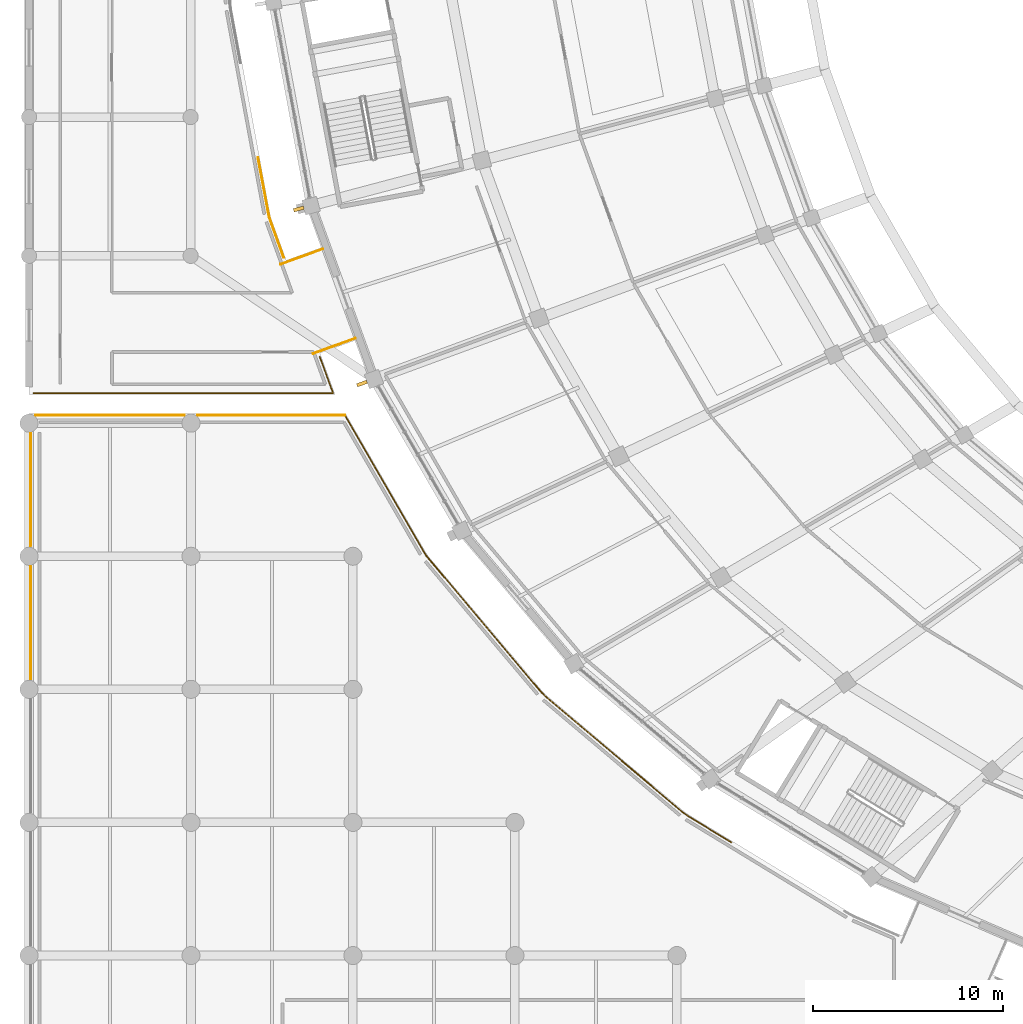
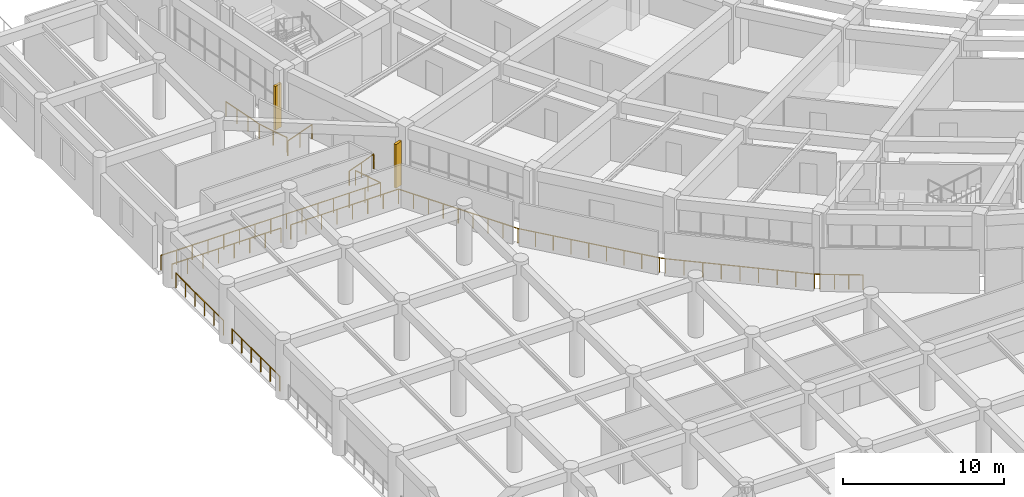
# One storey, part 119 of 145: 9 railings, 2 shading devices.
"""IFC4 building model written with IfcOpenShell, lengths in metres."""

from ifc_helpers import new_model, si_unit, direction, frame, origin, origin_2d, place, context, subcontext, project, spatial, rectangle, circle, extrude, material, type_object, element, save


model = new_model("IFC4")

# Units and contexts
model_context = context("Model", 3, precision=1e-05, world=origin(), true_north=direction((0.0, 1.0)))
body_context = subcontext(model_context, "Body", "Model", "MODEL_VIEW")
ifc_project = project(units=[si_unit("LENGTHUNIT", "METRE"), si_unit("AREAUNIT", "SQUARE_METRE"), si_unit("VOLUMEUNIT", "CUBIC_METRE"), si_unit("PLANEANGLEUNIT", "RADIAN"), si_unit("MASSUNIT", "GRAM", prefix="KILO")], contexts=[model_context])

# Site, building, storey
site_placement = place(None, origin())
site = spatial("IfcSite", under=ifc_project, at=site_placement, CompositionType="ELEMENT")
building_placement = place(site_placement, origin())
building = spatial("IfcBuilding", under=site, at=building_placement, Name="Mphavela Belvedere Stadium", CompositionType="ELEMENT")
storey_placement = place(building_placement, frame((0.0, 0.0, 10.199951171875)))
storey = spatial("IfcBuildingStorey", under=building, at=storey_placement, Name="L02", CompositionType="ELEMENT", Elevation=10.199951171875)

# Railings
ifc_material_1 = material(Name="Bronze and laminated glass stadium balustrade", Category="glass")
railing_type = type_object("IfcRailingType", Name="RAL-BALUSTRADE-1120", PredefinedType="BALUSTRADE", material=ifc_material_1)
railing_1_placement = place(storey_placement, frame((15.44921875, 58.159423828125, 0.0)))
element("IfcRailing", 1, at=railing_1_placement, inside=storey, type_object=railing_type, Name="Colonnade link bridge balustrade L02-27A", PredefinedType="BALUSTRADE", context=body_context, shape_type="SweptSolid", body=[
    extrude(circle(Radius=0.02392578125, at=origin_2d()), frame((0.0, 0.0, 1.09619140625), z_axis=(-0.940078218368, -0.340958858734, 0.0), x_axis=(0.340958858734, -0.940078218368, 0.0)), (0.0, 0.0, 1.0), 2.35009765625),
    extrude(circle(Radius=0.02099609375, at=origin_2d()), origin(), (0.0, 0.0, 1.0), 1.072021484375),
    extrude(circle(Radius=0.02099609375, at=origin_2d()), frame((-1.1044921875, -0.400634765625, 0.0)), (0.0, 0.0, 1.0), 1.072021484375),
    extrude(circle(Radius=0.02099609375, at=origin_2d()), frame((-2.209228515625, -0.80126953125, 0.0)), (0.0, 0.0, 1.0), 1.072021484375),
])
railing_2_placement = place(storey_placement, frame((17.154296875, 53.459228515625, 0.0)))
element("IfcRailing", 2, at=railing_2_placement, inside=storey, type_object=railing_type, Name="Colonnade link bridge balustrade L02-27B", PredefinedType="BALUSTRADE", context=body_context, shape_type="SweptSolid", body=[
    extrude(circle(Radius=0.02392578125, at=origin_2d()), frame((0.0, 0.0, 1.09619140625), z_axis=(-0.940044916205, -0.341050664151, 0.0), x_axis=(0.341050664151, -0.940044916205, 0.0)), (0.0, 0.0, 1.0), 2.35009765625),
    extrude(circle(Radius=0.02099609375, at=origin_2d()), origin(), (0.0, 0.0, 1.0), 1.072021484375),
    extrude(circle(Radius=0.02099609375, at=origin_2d()), frame((-1.1044921875, -0.40087890625, 0.0)), (0.0, 0.0, 1.0), 1.072021484375),
    extrude(circle(Radius=0.02099609375, at=origin_2d()), frame((-2.209228515625, -0.801513671875, 0.0)), (0.0, 0.0, 1.0), 1.072021484375),
])
railing_3_placement = place(storey_placement, frame((16.607421875, 49.419921875, 0.0)))
element("IfcRailing", 3, at=railing_3_placement, inside=storey, type_object=railing_type, Name="Peristyle wing gallery edge balustrade L02-01", PredefinedType="BALUSTRADE", context=body_context, shape_type="SweptSolid", body=[
    extrude(circle(Radius=0.02392578125, at=origin_2d()), frame((0.0, 0.0, 1.09619140625), z_axis=(0.501496666229, -0.86515957705, 0.0), x_axis=(0.86515957705, 0.501496666229, 0.0)), (0.0, 0.0, 1.0), 8.548095703125),
    extrude(circle(Radius=0.02392578125, at=origin_2d()), frame((4.286865234375, -7.3955078125, 1.09619140625), z_axis=(0.644472492073, -0.764627495557, 0.0), x_axis=(0.764627495557, 0.644472492073, 0.0)), (0.0, 0.0, 1.0), 9.352783203125),
    extrude(circle(Radius=0.02392578125, at=origin_2d()), frame((10.314453125, -14.546875, 1.09619140625), z_axis=(0.707747566275, -0.706465414887, 0.0), x_axis=(0.706465414887, 0.707747566275, 0.0)), (0.0, 0.0, 1.0), 0.380859375),
    extrude(circle(Radius=0.02392578125, at=origin_2d()), frame((10.583984375, -14.81591796875, 1.09619140625), z_axis=(0.764260284561, -0.644907913924, 0.0), x_axis=(0.644907913924, 0.764260284561, 0.0)), (0.0, 0.0, 1.0), 9.4013671875),
    extrude(circle(Radius=0.02392578125, at=origin_2d()), frame((17.76904296875, -20.87890625, 1.09619140625), z_axis=(0.81202574752, -0.583621611462, 0.0), x_axis=(0.583621611462, 0.81202574752, 0.0)), (0.0, 0.0, 1.0), 0.348388671875),
    extrude(circle(Radius=0.02392578125, at=origin_2d()), frame((18.052001953125, -21.082275390625, 1.09619140625), z_axis=(0.854337692863, -0.519718295381, 0.0), x_axis=(0.519718295381, 0.854337692863, 0.0)), (0.0, 0.0, 1.0), 2.67626953125),
    extrude(circle(Radius=0.02099609375, at=origin_2d()), origin(), (0.0, 0.0, 1.0), 1.072021484375),
    extrude(circle(Radius=0.02099609375, at=origin_2d()), frame((0.535888671875, -0.92431640625, 0.0)), (0.0, 0.0, 1.0), 1.072021484375),
    extrude(circle(Radius=0.02099609375, at=origin_2d()), frame((1.07177734375, -1.848876953125, 0.0)), (0.0, 0.0, 1.0), 1.072021484375),
    extrude(circle(Radius=0.02099609375, at=origin_2d()), frame((1.607666015625, -2.7734375, 0.0)), (0.0, 0.0, 1.0), 1.072021484375),
    extrude(circle(Radius=0.02099609375, at=origin_2d()), frame((2.1435546875, -3.69775390625, 0.0)), (0.0, 0.0, 1.0), 1.072021484375),
    extrude(circle(Radius=0.02099609375, at=origin_2d()), frame((2.67919921875, -4.6220703125, 0.0)), (0.0, 0.0, 1.0), 1.072021484375),
    extrude(circle(Radius=0.02099609375, at=origin_2d()), frame((3.215087890625, -5.546630859375, 0.0)), (0.0, 0.0, 1.0), 1.072021484375),
    extrude(circle(Radius=0.02099609375, at=origin_2d()), frame((3.7509765625, -6.47119140625, 0.0)), (0.0, 0.0, 1.0), 1.072021484375),
    extrude(circle(Radius=0.02099609375, at=origin_2d()), frame((4.286865234375, -7.3955078125, 0.0)), (0.0, 0.0, 1.0), 1.072021484375),
    extrude(circle(Radius=0.02099609375, at=origin_2d()), frame((5.040283203125, -8.28955078125, 0.0)), (0.0, 0.0, 1.0), 1.072021484375),
    extrude(circle(Radius=0.02099609375, at=origin_2d()), frame((5.793701171875, -9.183349609375, 0.0)), (0.0, 0.0, 1.0), 1.072021484375),
    extrude(circle(Radius=0.02099609375, at=origin_2d()), frame((6.547119140625, -10.0771484375, 0.0)), (0.0, 0.0, 1.0), 1.072021484375),
    extrude(circle(Radius=0.02099609375, at=origin_2d()), frame((7.30078125, -10.97119140625, 0.0)), (0.0, 0.0, 1.0), 1.072021484375),
    extrude(circle(Radius=0.02099609375, at=origin_2d()), frame((8.05419921875, -11.865234375, 0.0)), (0.0, 0.0, 1.0), 1.072021484375),
    extrude(circle(Radius=0.02099609375, at=origin_2d()), frame((8.8076171875, -12.759033203125, 0.0)), (0.0, 0.0, 1.0), 1.072021484375),
    extrude(circle(Radius=0.02099609375, at=origin_2d()), frame((9.56103515625, -13.65283203125, 0.0)), (0.0, 0.0, 1.0), 1.072021484375),
    extrude(circle(Radius=0.02099609375, at=origin_2d()), frame((10.314453125, -14.546875, 0.0)), (0.0, 0.0, 1.0), 1.072021484375),
    extrude(circle(Radius=0.02099609375, at=origin_2d()), frame((10.583984375, -14.81591796875, 0.0)), (0.0, 0.0, 1.0), 1.072021484375),
    extrude(circle(Radius=0.02099609375, at=origin_2d()), frame((11.482177734375, -15.57373046875, 0.0)), (0.0, 0.0, 1.0), 1.072021484375),
    extrude(circle(Radius=0.02099609375, at=origin_2d()), frame((12.38037109375, -16.33154296875, 0.0)), (0.0, 0.0, 1.0), 1.072021484375),
    extrude(circle(Radius=0.02099609375, at=origin_2d()), frame((13.2783203125, -17.089599609375, 0.0)), (0.0, 0.0, 1.0), 1.072021484375),
    extrude(circle(Radius=0.02099609375, at=origin_2d()), frame((14.176513671875, -17.847412109375, 0.0)), (0.0, 0.0, 1.0), 1.072021484375),
    extrude(circle(Radius=0.02099609375, at=origin_2d()), frame((15.07470703125, -18.605224609375, 0.0)), (0.0, 0.0, 1.0), 1.072021484375),
    extrude(circle(Radius=0.02099609375, at=origin_2d()), frame((15.97265625, -19.36328125, 0.0)), (0.0, 0.0, 1.0), 1.072021484375),
    extrude(circle(Radius=0.02099609375, at=origin_2d()), frame((16.870849609375, -20.12109375, 0.0)), (0.0, 0.0, 1.0), 1.072021484375),
    extrude(circle(Radius=0.02099609375, at=origin_2d()), frame((17.76904296875, -20.87890625, 0.0)), (0.0, 0.0, 1.0), 1.072021484375),
    extrude(circle(Radius=0.02099609375, at=origin_2d()), frame((18.052001953125, -21.082275390625, 0.0)), (0.0, 0.0, 1.0), 1.072021484375),
    extrude(circle(Radius=0.02099609375, at=origin_2d()), frame((18.814208984375, -21.5458984375, 0.0)), (0.0, 0.0, 1.0), 1.072021484375),
    extrude(circle(Radius=0.02099609375, at=origin_2d()), frame((19.576171875, -22.009521484375, 0.0)), (0.0, 0.0, 1.0), 1.072021484375),
    extrude(circle(Radius=0.02099609375, at=origin_2d()), frame((20.33837890625, -22.47314453125, 0.0)), (0.0, 0.0, 1.0), 1.072021484375),
])
for number, where, name in (
    (4, (0.080078125, 35.54345703125, 0.0), "Peristyle wing gallery edge balustrade L02-21"),
    (5, (0.080078125, 42.54345703125, 0.0), "Peristyle wing gallery edge balustrade L02-22"),
):
    element("IfcRailing", number, at=place(storey_placement, frame(where)), inside=storey, type_object=railing_type, Name=name, PredefinedType="BALUSTRADE", context=body_context, shape_type="SweptSolid", body=[
        extrude(circle(Radius=0.02392578125, at=origin_2d()), frame((0.0, 0.0, 1.09619140625), z_axis=(0.0, 1.0, 0.0), x_axis=(-1.0, 0.0, 0.0)), (0.0, 0.0, 1.0), 5.9130859375),
        extrude(circle(Radius=0.02099609375, at=origin_2d()), origin(), (0.0, 0.0, 1.0), 1.072021484375),
        extrude(circle(Radius=0.02099609375, at=origin_2d()), frame((0.0, 1.1826171875, 0.0)), (0.0, 0.0, 1.0), 1.072021484375),
        extrude(circle(Radius=0.02099609375, at=origin_2d()), frame((0.0, 2.365234375, 0.0)), (0.0, 0.0, 1.0), 1.072021484375),
        extrude(circle(Radius=0.02099609375, at=origin_2d()), frame((0.0, 3.5478515625, 0.0)), (0.0, 0.0, 1.0), 1.072021484375),
        extrude(circle(Radius=0.02099609375, at=origin_2d()), frame((0.0, 4.73046875, 0.0)), (0.0, 0.0, 1.0), 1.072021484375),
        extrude(circle(Radius=0.02099609375, at=origin_2d()), frame((0.0, 5.9130859375, 0.0)), (0.0, 0.0, 1.0), 1.072021484375),
    ])
railing_4_placement = place(storey_placement, frame((0.3544921875, 49.419921875, 0.0)))
element("IfcRailing", 6, at=railing_4_placement, inside=storey, type_object=railing_type, Name="Peristyle wing gallery edge balustrade L02-23", PredefinedType="BALUSTRADE", context=body_context, shape_type="SweptSolid", body=[
    extrude(circle(Radius=0.02392578125, at=origin_2d()), frame((0.0, 0.0, 1.09619140625), z_axis=(1.0, 0.0, 0.0), x_axis=(0.0, 1.0, 0.0)), (0.0, 0.0, 1.0), 7.809814453125),
    extrude(circle(Radius=0.02099609375, at=origin_2d()), origin(), (0.0, 0.0, 1.0), 1.072021484375),
    extrude(circle(Radius=0.02099609375, at=origin_2d()), frame((1.11572265625, 0.0, 0.0)), (0.0, 0.0, 1.0), 1.072021484375),
    extrude(circle(Radius=0.02099609375, at=origin_2d()), frame((2.2314453125, 0.0, 0.0)), (0.0, 0.0, 1.0), 1.072021484375),
    extrude(circle(Radius=0.02099609375, at=origin_2d()), frame((3.34716796875, 0.0, 0.0)), (0.0, 0.0, 1.0), 1.072021484375),
    extrude(circle(Radius=0.02099609375, at=origin_2d()), frame((4.462646484375, 0.0, 0.0)), (0.0, 0.0, 1.0), 1.072021484375),
    extrude(circle(Radius=0.02099609375, at=origin_2d()), frame((5.578369140625, 0.0, 0.0)), (0.0, 0.0, 1.0), 1.072021484375),
    extrude(circle(Radius=0.02099609375, at=origin_2d()), frame((6.694091796875, 0.0, 0.0)), (0.0, 0.0, 1.0), 1.072021484375),
    extrude(circle(Radius=0.02099609375, at=origin_2d()), frame((7.809814453125, 0.0, 0.0)), (0.0, 0.0, 1.0), 1.072021484375),
])
railing_5_placement = place(storey_placement, frame((8.87353515625, 49.419921875, 0.0)))
element("IfcRailing", 7, at=railing_5_placement, inside=storey, type_object=railing_type, Name="Peristyle wing gallery edge balustrade L02-24", PredefinedType="BALUSTRADE", context=body_context, shape_type="SweptSolid", body=[
    extrude(circle(Radius=0.02392578125, at=origin_2d()), frame((0.0, 0.0, 1.09619140625), z_axis=(1.0, 0.0, 0.0), x_axis=(0.0, 1.0, 0.0)), (0.0, 0.0, 1.0), 7.73388671875),
    extrude(circle(Radius=0.02099609375, at=origin_2d()), origin(), (0.0, 0.0, 1.0), 1.072021484375),
    extrude(circle(Radius=0.02099609375, at=origin_2d()), frame((1.104736328125, 0.0, 0.0)), (0.0, 0.0, 1.0), 1.072021484375),
    extrude(circle(Radius=0.02099609375, at=origin_2d()), frame((2.209716796875, 0.0, 0.0)), (0.0, 0.0, 1.0), 1.072021484375),
    extrude(circle(Radius=0.02099609375, at=origin_2d()), frame((3.314453125, 0.0, 0.0)), (0.0, 0.0, 1.0), 1.072021484375),
    extrude(circle(Radius=0.02099609375, at=origin_2d()), frame((4.41943359375, 0.0, 0.0)), (0.0, 0.0, 1.0), 1.072021484375),
    extrude(circle(Radius=0.02099609375, at=origin_2d()), frame((5.524169921875, 0.0, 0.0)), (0.0, 0.0, 1.0), 1.072021484375),
    extrude(circle(Radius=0.02099609375, at=origin_2d()), frame((6.629150390625, 0.0, 0.0)), (0.0, 0.0, 1.0), 1.072021484375),
    extrude(circle(Radius=0.02099609375, at=origin_2d()), frame((7.73388671875, 0.0, 0.0)), (0.0, 0.0, 1.0), 1.072021484375),
])
railing_6_placement = place(storey_placement, frame((12.0458984375, 62.970947265625, 0.0)))
element("IfcRailing", 8, at=railing_6_placement, inside=storey, type_object=railing_type, Name="Peristyle wing gallery edge balustrade L02-57", PredefinedType="BALUSTRADE", context=body_context, shape_type="SweptSolid", body=[
    extrude(circle(Radius=0.02392578125, at=origin_2d()), frame((0.0, 0.0, 1.09619140625), z_axis=(0.184941248651, -0.982749578757, 0.0), x_axis=(0.982749578757, 0.184941248651, 0.0)), (0.0, 0.0, 1.0), 3.18408203125),
    extrude(circle(Radius=0.02392578125, at=origin_2d()), frame((0.5888671875, -3.129150390625, 1.09619140625), z_axis=(0.337621951524, -0.941281795133, 0.0), x_axis=(0.941281795133, 0.337621951524, 0.0)), (0.0, 0.0, 1.0), 2.26123046875),
    extrude(circle(Radius=0.02099609375, at=origin_2d()), origin(), (0.0, 0.0, 1.0), 1.072021484375),
    extrude(circle(Radius=0.02099609375, at=origin_2d()), frame((0.1962890625, -1.04296875, 0.0)), (0.0, 0.0, 1.0), 1.072021484375),
    extrude(circle(Radius=0.02099609375, at=origin_2d()), frame((0.392578125, -2.086181640625, 0.0)), (0.0, 0.0, 1.0), 1.072021484375),
    extrude(circle(Radius=0.02099609375, at=origin_2d()), frame((0.5888671875, -3.129150390625, 0.0)), (0.0, 0.0, 1.0), 1.072021484375),
    extrude(circle(Radius=0.02099609375, at=origin_2d()), frame((0.970703125, -4.193359375, 0.0)), (0.0, 0.0, 1.0), 1.072021484375),
    extrude(circle(Radius=0.02099609375, at=origin_2d()), frame((1.352294921875, -5.257568359375, 0.0)), (0.0, 0.0, 1.0), 1.072021484375),
])
railing_7_placement = place(storey_placement, frame((15.294677734375, 52.48681640625, 0.0)))
element("IfcRailing", 9, at=railing_7_placement, inside=storey, type_object=railing_type, Name="Peristyle wing gallery edge balustrade L02-58", PredefinedType="BALUSTRADE", context=body_context, shape_type="SweptSolid", body=[
    extrude(circle(Radius=0.02392578125, at=origin_2d()), frame((0.0, 0.0, 1.09619140625), z_axis=(0.342380499121, -0.939561383743, 0.0), x_axis=(0.939561383743, 0.342380499121, 0.0)), (0.0, 0.0, 1.0), 2.029296875),
    extrude(circle(Radius=0.02392578125, at=origin_2d()), frame((0.69482421875, -1.90673828125, 1.09619140625), z_axis=(-1.0, 0.0, 0.0), x_axis=(0.0, -1.0, 0.0)), (0.0, 0.0, 1.0), 15.756103515625),
    extrude(circle(Radius=0.02099609375, at=origin_2d()), origin(), (0.0, 0.0, 1.0), 1.072021484375),
    extrude(circle(Radius=0.02099609375, at=origin_2d()), frame((0.347412109375, -0.953369140625, 0.0)), (0.0, 0.0, 1.0), 1.072021484375),
    extrude(circle(Radius=0.02099609375, at=origin_2d()), frame((0.69482421875, -1.90673828125, 0.0)), (0.0, 0.0, 1.0), 1.072021484375),
    extrude(circle(Radius=0.02099609375, at=origin_2d()), frame((-0.4306640625, -1.90673828125, 0.0)), (0.0, 0.0, 1.0), 1.072021484375),
    extrude(circle(Radius=0.02099609375, at=origin_2d()), frame((-1.55615234375, -1.90673828125, 0.0)), (0.0, 0.0, 1.0), 1.072021484375),
    extrude(circle(Radius=0.02099609375, at=origin_2d()), frame((-2.681396484375, -1.90673828125, 0.0)), (0.0, 0.0, 1.0), 1.072021484375),
    extrude(circle(Radius=0.02099609375, at=origin_2d()), frame((-3.806884765625, -1.90673828125, 0.0)), (0.0, 0.0, 1.0), 1.072021484375),
    extrude(circle(Radius=0.02099609375, at=origin_2d()), frame((-4.932373046875, -1.90673828125, 0.0)), (0.0, 0.0, 1.0), 1.072021484375),
    extrude(circle(Radius=0.02099609375, at=origin_2d()), frame((-6.057861328125, -1.90673828125, 0.0)), (0.0, 0.0, 1.0), 1.072021484375),
    extrude(circle(Radius=0.02099609375, at=origin_2d()), frame((-7.18310546875, -1.90673828125, 0.0)), (0.0, 0.0, 1.0), 1.072021484375),
    extrude(circle(Radius=0.02099609375, at=origin_2d()), frame((-8.30859375, -1.90673828125, 0.0)), (0.0, 0.0, 1.0), 1.072021484375),
    extrude(circle(Radius=0.02099609375, at=origin_2d()), frame((-9.43408203125, -1.90673828125, 0.0)), (0.0, 0.0, 1.0), 1.072021484375),
    extrude(circle(Radius=0.02099609375, at=origin_2d()), frame((-10.5595703125, -1.90673828125, 0.0)), (0.0, 0.0, 1.0), 1.072021484375),
    extrude(circle(Radius=0.02099609375, at=origin_2d()), frame((-11.68505859375, -1.90673828125, 0.0)), (0.0, 0.0, 1.0), 1.072021484375),
    extrude(circle(Radius=0.02099609375, at=origin_2d()), frame((-12.810302734375, -1.90673828125, 0.0)), (0.0, 0.0, 1.0), 1.072021484375),
    extrude(circle(Radius=0.02099609375, at=origin_2d()), frame((-13.935791015625, -1.90673828125, 0.0)), (0.0, 0.0, 1.0), 1.072021484375),
    extrude(circle(Radius=0.02099609375, at=origin_2d()), frame((-15.061279296875, -1.90673828125, 0.0)), (0.0, 0.0, 1.0), 1.072021484375),
])

# Shading devices
ifc_material_2 = material(Name="Honed limestone and bronze vertical brise-soleil fin", Category="masonry")
shading_device_type = type_object("IfcShadingDeviceType", Name="SHD-SOLAR-FIN", PredefinedType="USERDEFINED", material=ifc_material_2)
for number, where, z_axis, x_axis, name in (
    (10, (14.184814453125, 60.264892578125, 0.0), (0.0, 0.0, 1.0), (-0.966600102017, -0.256289373133, 0.0), "Classical vertical solar brise-soleil fin L02-27"),
    (11, (17.512451171875, 51.0849609375, 0.0), (0.0, 0.0, 1.0), (-0.938372433776, -0.34562577382, 0.0), "Classical vertical solar brise-soleil fin L02-28"),
):
    element("IfcShadingDevice", number, at=place(storey_placement, frame(where, z_axis=z_axis, x_axis=x_axis)), inside=storey, type_object=shading_device_type, Name=name, ObjectType="SOLAR FIN", PredefinedType="USERDEFINED", context=body_context, shape_type="SweptSolid", body=[
        extrude(rectangle(XDim=0.550048828125, YDim=0.179931640625, at=origin_2d()), origin(), (0.0, 0.0, 1.0), 3.320068359375),
    ])

save(model, "model.ifc")
